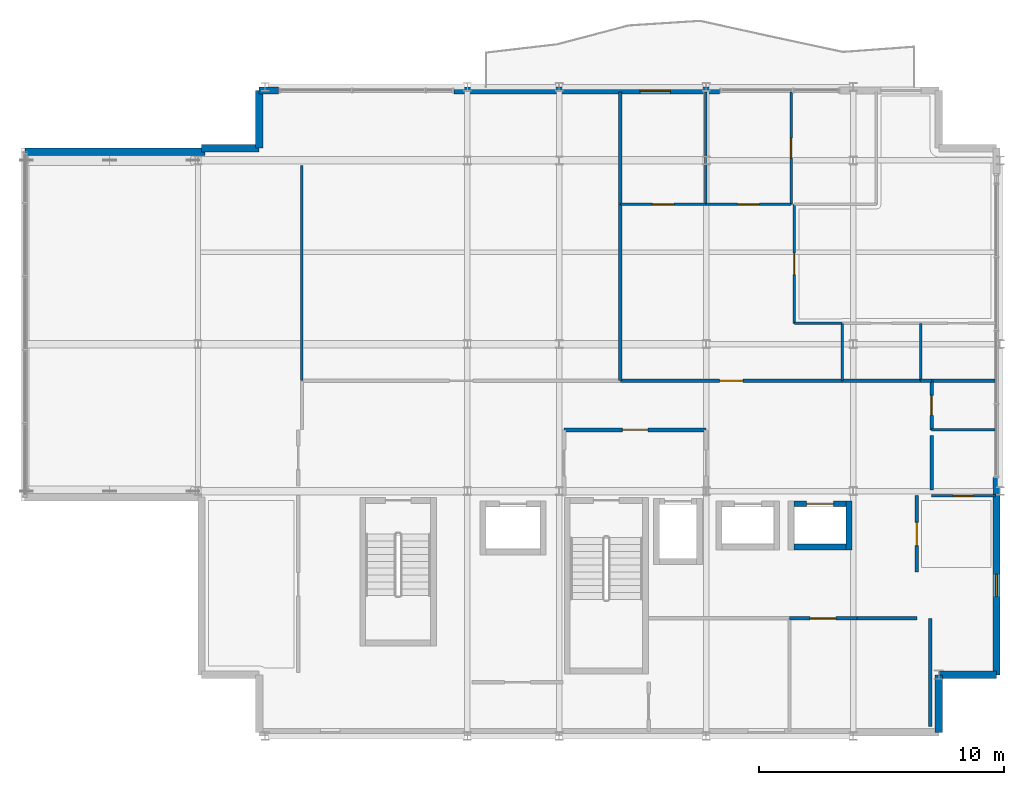
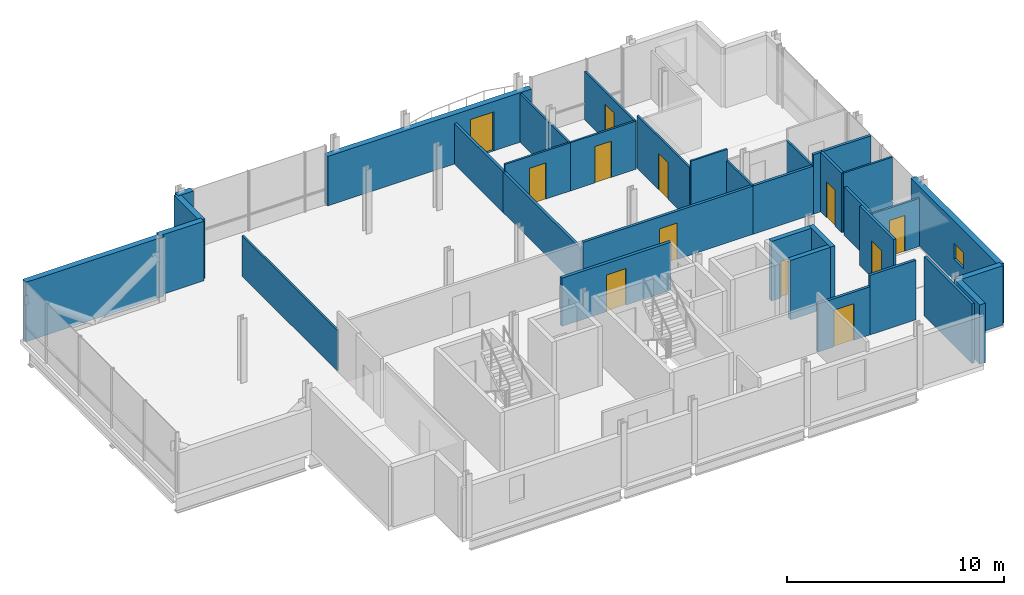
# One storey, part 15 of 18: 35 walls, 12 doors, 1 window, 13 openings.
"""IFC4 building model written with IfcOpenShell, lengths in metres."""

from ifc_helpers import new_model, si_unit, direction, frame, frame_2d, origin, place, context, subcontext, project, spatial, rectangle, extrude, material, layer, layer_set, type_object, element, fill, save


model = new_model("IFC4")

# Units and contexts
model_context = context("Model", 3, precision=1e-05, world=origin(), true_north=direction((0.0, 1.0)))
body_context = subcontext(model_context, "Body", "Model", "MODEL_VIEW")
ifc_project = project(units=[si_unit("LENGTHUNIT", "METRE"), si_unit("AREAUNIT", "SQUARE_METRE"), si_unit("VOLUMEUNIT", "CUBIC_METRE"), si_unit("PLANEANGLEUNIT", "RADIAN"), si_unit("MASSUNIT", "GRAM", prefix="KILO")], contexts=[model_context])

# Site, building, storey
site_placement = place(None, origin())
site = spatial("IfcSite", under=ifc_project, at=site_placement, CompositionType="ELEMENT")
building_placement = place(site_placement, origin())
building = spatial("IfcBuilding", under=site, at=building_placement, Name="Brevholm Reach", CompositionType="ELEMENT")
storey_placement = place(building_placement, frame((0.0, 0.0, 240.050048828125)))
storey = spatial("IfcBuildingStorey", under=building, at=storey_placement, Name="L73", CompositionType="ELEMENT", Elevation=240.050048828125)

# Walls
ifc_material_1 = material(Name="Concrete C45/55", Category="concrete")
ifc_layer_1 = layer(ifc_material_1, 0.239990234375)
ifc_layer_set_1 = layer_set([ifc_layer_1], Name="Concrete C45/55")
wall_type_1 = type_object("IfcWallType", Name="WAL-COR-240", PredefinedType="SHEAR", material=ifc_layer_set_1)
wall_1_placement = place(storey_placement, frame((53.830078125, 7.60009765625, 0.0), z_axis=(0.0, 0.0, 1.0), x_axis=(0.0, 1.0, 0.0)))
element("IfcWall", 1, at=wall_1_placement, inside=storey, type_object=wall_type_1, Name="L73 Lift PL-H2 Shaft Wall E", PredefinedType="SHEAR", context=body_context, shape_type="SweptSolid", body=[
    extrude(rectangle(XDim=2.0, YDim=0.239990234375, at=frame_2d((1.0, 0.0))), origin(), (0.0, 0.0, 1.0), 3.349853515625),
])
wall_2_placement = place(storey_placement, frame((51.590087890625, 7.719970703125, 0.0), z_axis=(0.0, 0.0, 1.0), x_axis=(1.0, 0.0, 0.0)))
element("IfcWall", 2, at=wall_2_placement, inside=storey, type_object=wall_type_1, Name="L73 Lift PL-H2 Shaft Wall S", PredefinedType="SHEAR", context=body_context, shape_type="SweptSolid", body=[
    extrude(rectangle(XDim=2.119873046875, YDim=0.239990234375, at=frame_2d((1.06005859375, 0.0))), origin(), (0.0, 0.0, 1.0), 3.349853515625),
])

# Wall, opening, door
wall_3_placement = place(storey_placement, frame((51.590087890625, 9.47998046875, 0.0), z_axis=(0.0, 0.0, 1.0), x_axis=(1.0, 0.0, 0.0)))
wall_3 = element("IfcWall", 3, at=wall_3_placement, inside=storey, type_object=wall_type_1, Name="L73 Lift PL-H2 Shaft Wall N", PredefinedType="SHEAR", context=body_context, shape_type="SweptSolid", body=[
    extrude(rectangle(XDim=2.119873046875, YDim=0.239990234375, at=frame_2d((1.06005859375, 0.0))), origin(), (0.0, 0.0, 1.0), 3.349853515625),
])
opening_1_placement = place(wall_3_placement, frame((0.510009765625, 0.0, 0.0)))
opening_1 = element("IfcOpeningElement", 4, at=opening_1_placement, cuts=wall_3, Name="Opening LD-PL-H2", PredefinedType="OPENING", context=body_context, shape_type="SweptSolid", body=[
    extrude(rectangle(XDim=1.10009765625, YDim=2.06005859375, at=frame_2d((0.550048828125, 1.030029296875))), frame((0.0, 0.1298828125, 0.0), z_axis=(0.0, -1.0, 0.0), x_axis=(1.0, 0.0, 0.0)), (0.0, 0.0, 1.0), 0.260009765625),
])
ifc_material_2 = material(Name="Brushed Stainless Steel Fire-Rated Sliding Lift Door", Category="steel")
door_type_1 = type_object("IfcDoorType", Name="DOR-LFT-1100", OperationType="NOTDEFINED", PredefinedType="DOOR", material=ifc_material_2)
door_1_placement = place(opening_1_placement, origin())
door_1 = element("IfcDoor", 5, at=door_1_placement, inside=storey, type_object=door_type_1, Name="L73 Lift PL-H2 Sliding Landing Door", OperationType="SLIDING_TO_LEFT", OverallHeight=2.06005859375, OverallWidth=1.10009765625, PredefinedType="DOOR", context=body_context, shape_type="SweptSolid", body=[
    extrude(rectangle(XDim=1.10009765625, YDim=2.06005859375, at=frame_2d((0.550048828125, 1.030029296875))), frame((0.0, 0.02490234375, 0.0), z_axis=(0.0, -1.0, 0.0), x_axis=(1.0, 0.0, 0.0)), (0.0, 0.0, 1.0), 0.050048828125),
])
fill(opening_1, door_1)

# Walls
ifc_material_3 = material(Name="Concrete C40/50", Category="concrete")
ifc_layer_2 = layer(ifc_material_3, 0.300048828125)
ifc_layer_set_2 = layer_set([ifc_layer_2], Name="Concrete C40/50")
wall_type_2 = type_object("IfcWallType", Name="WAL-EXT-300", PredefinedType="STANDARD", material=ifc_layer_set_2)
for number, where, z_axis, x_axis, name in (
    (6, (57.5, 0.14990234375, 0.0), (0.0, 0.0, 1.0), (0.0, 1.0, 0.0), "L73 Facade Wall WAL-L73-CSE1"),
    (7, (57.5, 2.5, 0.0), (0.0, 0.0, 1.0), (1.0, 0.0, 0.0), "L73 Facade Wall WAL-L73-CSE2"),
    (8, (29.75, 26.35009765625, 0.0), (0.0, 0.0, 1.0), (0.0, -1.0, 0.0), "L73 Facade Wall WAL-L73-CNW1"),
    (9, (29.75, 24.0, 0.0), (0.0, 0.0, 1.0), (-1.0, 0.0, 0.0), "L73 Facade Wall WAL-L73-CNW2"),
):
    element("IfcWall", number, at=place(storey_placement, frame(where, z_axis=z_axis, x_axis=x_axis)), inside=storey, type_object=wall_type_2, Name=name, PredefinedType="STANDARD", context=body_context, shape_type="SweptSolid", body=[
        extrude(rectangle(XDim=2.35009765625, YDim=0.300048828125, at=frame_2d((1.175048828125, 0.0))), origin(), (0.0, 0.0, 1.0), 3.349853515625),
    ])

# Wall, opening, window
wall_4_placement = place(storey_placement, frame((59.85009765625, 2.5, 0.0), z_axis=(0.0, 0.0, 1.0), x_axis=(0.0, 1.0, 0.0)))
wall_4 = element("IfcWall", 10, at=wall_4_placement, inside=storey, type_object=wall_type_2, Name="L73 Facade Wall WAL-L73-E-S", PredefinedType="STANDARD", context=body_context, shape_type="SweptSolid", body=[
    extrude(rectangle(XDim=8.050048828125, YDim=0.300048828125, at=frame_2d((4.02490234375, 0.0))), origin(), (0.0, 0.0, 1.0), 3.349853515625),
])
opening_2_placement = place(wall_4_placement, frame((3.199951171875, 0.0, 1.199951171875)))
opening_2 = element("IfcOpeningElement", 11, at=opening_2_placement, cuts=wall_4, Name="Opening WN-09", PredefinedType="OPENING", context=body_context, shape_type="SweptSolid", body=[
    extrude(rectangle(XDim=0.89990234375, YDim=0.89990234375, at=frame_2d((0.449951171875, 0.449951171875))), frame((0.0, 0.159912109375, 0.0), z_axis=(0.0, -1.0, 0.0), x_axis=(1.0, 0.0, 0.0)), (0.0, 0.0, 1.0), 0.320068359375),
])
ifc_material_4 = material(Name="Dark Anodised Aluminium and Solar-Control IGU Glass", Category="aluminium")
window_type = type_object("IfcWindowType", Name="WIN-POR-0900", PartitioningType="SINGLE_PANEL", PredefinedType="WINDOW", material=ifc_material_4)
window_placement = place(opening_2_placement, origin())
window = element("IfcWindow", 12, at=window_placement, inside=storey, type_object=window_type, Name="L73 Window WIN-L73-ES-1", OverallHeight=0.89990234375, OverallWidth=0.89990234375, PartitioningType="SINGLE_PANEL", PredefinedType="WINDOW", context=body_context, shape_type="SweptSolid", body=[
    extrude(rectangle(XDim=0.89990234375, YDim=0.89990234375, at=frame_2d((0.449951171875, 0.449951171875))), frame((0.0, 0.030029296875, 0.0), z_axis=(0.0, -1.0, 0.0), x_axis=(1.0, 0.0, 0.0)), (0.0, 0.0, 1.0), 0.06005859375),
])
fill(opening_2, window)

# Wall
wall_5_placement = place(storey_placement, frame((29.75, 26.35009765625, 0.0), z_axis=(0.0, 0.0, 1.0), x_axis=(1.0, 0.0, 0.0)))
element("IfcWall", 13, at=wall_5_placement, inside=storey, type_object=wall_type_2, Name="L73 Facade Wall WAL-L73-NP-1", PredefinedType="STANDARD", context=body_context, shape_type="SweptSolid", body=[
    extrude(rectangle(XDim=0.800048828125, YDim=0.300048828125, at=frame_2d((0.39990234375, 0.0))), origin(), (0.0, 0.0, 1.0), 3.349853515625),
])

# Wall, opening, door
wall_6_placement = place(storey_placement, frame((37.699951171875, 26.35009765625, 0.0), z_axis=(0.0, 0.0, 1.0), x_axis=(1.0, 0.0, 0.0)))
wall_6 = element("IfcWall", 14, at=wall_6_placement, inside=storey, type_object=wall_type_2, Name="L73 Facade Wall WAL-L73-NP-2", PredefinedType="STANDARD", context=body_context, shape_type="SweptSolid", body=[
    extrude(rectangle(XDim=10.85009765625, YDim=0.300048828125, at=frame_2d((5.425048828125, 0.0))), origin(), (0.0, 0.0, 1.0), 2.785400390625),
])
opening_3_placement = place(wall_6_placement, frame((7.589111328125, 0.0, 0.0)))
opening_3 = element("IfcOpeningElement", 15, at=opening_3_placement, cuts=wall_6, Name="Opening BD-02", PredefinedType="OPENING", context=body_context, shape_type="SweptSolid", body=[
    extrude(rectangle(XDim=1.25, YDim=2.199951171875, at=frame_2d((0.625, 1.10009765625))), frame((0.0, 0.159912109375, 0.0), z_axis=(0.0, -1.0, 0.0), x_axis=(1.0, 0.0, 0.0)), (0.0, 0.0, 1.0), 0.320068359375),
])
ifc_material_5 = material(Name="Dark Anodised Aluminium and Triple-Glazed Glass", Category="aluminium")
door_type_2 = type_object("IfcDoorType", Name="DOR-BALC-1250", OperationType="NOTDEFINED", PredefinedType="DOOR", material=ifc_material_5)
door_2_placement = place(opening_3_placement, origin())
door_2 = element("IfcDoor", 16, at=door_2_placement, inside=storey, type_object=door_type_2, Name="L73 Exterior Door DOR-L73-BL-NE", OperationType="SINGLE_SWING_RIGHT", OverallHeight=2.199951171875, OverallWidth=1.25, PredefinedType="DOOR", context=body_context, shape_type="SweptSolid", body=[
    extrude(rectangle(XDim=1.25, YDim=2.199951171875, at=frame_2d((0.625, 1.10009765625))), frame((0.0, 0.02490234375, 0.0), z_axis=(0.0, -1.0, 0.0), x_axis=(1.0, 0.0, 0.0)), (0.0, 0.0, 1.0), 0.050048828125),
])
fill(opening_3, door_2)

# Wall
wall_7_placement = place(storey_placement, frame((20.199951171875, 23.85009765625, 0.0), z_axis=(0.0, 0.0, 1.0), x_axis=(1.0, 0.0, 0.0)))
element("IfcWall", 17, at=wall_7_placement, inside=storey, type_object=wall_type_2, Name="L73 Facade Wall WAL-L73-CANT-N", PredefinedType="STANDARD", context=body_context, shape_type="SweptSolid", body=[
    extrude(rectangle(XDim=7.35009765625, YDim=0.300048828125, at=frame_2d((3.675048828125, 0.0))), origin(), (0.0, 0.0, 1.0), 3.349853515625),
])

# Wall, opening, door
ifc_material_6 = material(Name="Moisture-Resistant Acoustic Gypsum Stud Partition 100 mm", Category="gypsum")
ifc_layer_3 = layer(ifc_material_6, 0.10009765625)
ifc_layer_set_3 = layer_set([ifc_layer_3], Name="Moisture-Resistant Acoustic Gypsum Stud Partition 100 mm")
wall_type_3 = type_object("IfcWallType", Name="WAL-PRT-100", PredefinedType="PARTITIONING", material=ifc_layer_set_3)
wall_8_placement = place(storey_placement, frame((57.188720703125, 9.800048828125, 0.0), z_axis=(0.0, 0.0, 1.0), x_axis=(1.0, 0.0, 0.0)))
wall_8 = element("IfcWall", 18, at=wall_8_placement, inside=storey, type_object=wall_type_3, Name="L73 Internal Partition 013", PredefinedType="PARTITIONING", context=body_context, shape_type="SweptSolid", body=[
    extrude(rectangle(XDim=2.611328125, YDim=0.10009765625, at=frame_2d((1.3056640625, 0.0))), origin(), (0.0, 0.0, 1.0), 2.712646484375),
])
opening_4_placement = place(wall_8_placement, frame((0.895751953125, 0.0, 0.0)))
opening_4 = element("IfcOpeningElement", 19, at=opening_4_placement, cuts=wall_8, Name="Opening ID-03", PredefinedType="OPENING", context=body_context, shape_type="SweptSolid", body=[
    extrude(rectangle(XDim=0.820068359375, YDim=2.02001953125, at=frame_2d((0.41015625, 1.010009765625))), frame((0.0, 0.06005859375, 0.0), z_axis=(0.0, -1.0, 0.0), x_axis=(1.0, 0.0, 0.0)), (0.0, 0.0, 1.0), 0.1201171875),
])
ifc_material_7 = material(Name="Moisture-Resistant Painted Timber Internal Bathroom Door", Category="wood")
door_type_3 = type_object("IfcDoorType", Name="DOR-BATH-820", OperationType="NOTDEFINED", PredefinedType="DOOR", material=ifc_material_7)
door_3_placement = place(opening_4_placement, origin())
door_3 = element("IfcDoor", 20, at=door_3_placement, inside=storey, type_object=door_type_3, Name="L73 Access Door 016", OperationType="SINGLE_SWING_RIGHT", OverallHeight=2.02001953125, OverallWidth=0.820068359375, PredefinedType="DOOR", context=body_context, shape_type="SweptSolid", body=[
    extrude(rectangle(XDim=0.820068359375, YDim=2.02001953125, at=frame_2d((0.41015625, 1.010009765625))), frame((0.0, 0.02490234375, 0.0), z_axis=(0.0, -1.0, 0.0), x_axis=(1.0, 0.0, 0.0)), (0.0, 0.0, 1.0), 0.050048828125),
])
fill(opening_4, door_3)

# Walls
wall_9_placement = place(storey_placement, frame((57.2041015625, 12.5, 0.0), z_axis=(0.0, 0.0, 1.0), x_axis=(1.0, 0.0, 0.0)))
element("IfcWall", 21, at=wall_9_placement, inside=storey, type_object=wall_type_3, Name="L73 Internal Partition 020", PredefinedType="PARTITIONING", context=body_context, shape_type="SweptSolid", body=[
    extrude(rectangle(XDim=2.595947265625, YDim=0.10009765625, at=frame_2d((1.2978515625, 0.0))), origin(), (0.0, 0.0, 1.0), 3.349853515625),
])
wall_10_placement = place(storey_placement, frame((31.5, 14.50390625, 0.0), z_axis=(0.0, 0.0, 1.0), x_axis=(0.0, 1.0, 0.0)))
element("IfcWall", 22, at=wall_10_placement, inside=storey, type_object=wall_type_3, Name="L73 Internal Partition 022", PredefinedType="PARTITIONING", context=body_context, shape_type="SweptSolid", body=[
    extrude(rectangle(XDim=8.776123046875, YDim=0.10009765625, at=frame_2d((4.38818359375, 0.0))), origin(), (0.0, 0.0, 1.0), 2.28857421875),
])
for number, where, z_axis, x_axis, name in (
    (23, (56.75, 14.50390625, 0.0), (0.0, 0.0, 1.0), (0.0, 1.0, 0.0), "L73 Internal Partition 025"),
    (24, (53.550048828125, 14.50390625, 0.0), (0.0, 0.0, 1.0), (0.0, 1.0, 0.0), "L73 Internal Partition 028"),
):
    element("IfcWall", number, at=place(storey_placement, frame(where, z_axis=z_axis, x_axis=x_axis)), inside=storey, type_object=wall_type_3, Name=name, PredefinedType="PARTITIONING", context=body_context, shape_type="SweptSolid", body=[
        extrude(rectangle(XDim=2.34619140625, YDim=0.10009765625, at=frame_2d((1.173095703125, 0.0))), origin(), (0.0, 0.0, 1.0), 2.712646484375),
    ])
wall_11_placement = place(storey_placement, frame((47.98291015625, 21.699951171875, 0.0), z_axis=(0.0, 0.0, 1.0), x_axis=(0.0, 1.0, 0.0)))
element("IfcWall", 25, at=wall_11_placement, inside=storey, type_object=wall_type_3, Name="L73 Internal Partition 029", PredefinedType="PARTITIONING", context=body_context, shape_type="SweptSolid", body=[
    extrude(rectangle(XDim=4.60009765625, YDim=0.10009765625, at=frame_2d((2.300048828125, 0.0))), origin(), (0.0, 0.0, 1.0), 2.712646484375),
])

# Wall, opening, door
wall_12_placement = place(storey_placement, frame((44.50390625, 21.699951171875, 0.0), z_axis=(0.0, 0.0, 1.0), x_axis=(1.0, 0.0, 0.0)))
wall_12 = element("IfcWall", 26, at=wall_12_placement, inside=storey, type_object=wall_type_3, Name="L73 Internal Partition 030", PredefinedType="PARTITIONING", context=body_context, shape_type="SweptSolid", body=[
    extrude(rectangle(XDim=3.47900390625, YDim=0.10009765625, at=frame_2d((1.739501953125, 0.0))), origin(), (0.0, 0.0, 1.0), 2.712646484375),
])
opening_5_placement = place(wall_12_placement, frame((1.299560546875, 0.0, 0.0)))
opening_5 = element("IfcOpeningElement", 27, at=opening_5_placement, cuts=wall_12, Name="Opening ID-01", PredefinedType="OPENING", context=body_context, shape_type="SweptSolid", body=[
    extrude(rectangle(XDim=0.8798828125, YDim=2.0400390625, at=frame_2d((0.43994140625, 1.02001953125))), frame((0.0, 0.06005859375, 0.0), z_axis=(0.0, -1.0, 0.0), x_axis=(1.0, 0.0, 0.0)), (0.0, 0.0, 1.0), 0.1201171875),
])
ifc_material_8 = material(Name="Lacquered Ash Solid-Core Acoustic Internal Door", Category="timber")
door_type_4 = type_object("IfcDoorType", Name="DOR-INT-880", OperationType="NOTDEFINED", PredefinedType="DOOR", material=ifc_material_8)
door_4_placement = place(opening_5_placement, origin())
door_4 = element("IfcDoor", 28, at=door_4_placement, inside=storey, type_object=door_type_4, Name="L73 Internal Door 013", OperationType="SINGLE_SWING_LEFT", OverallHeight=2.0400390625, OverallWidth=0.8798828125, PredefinedType="DOOR", context=body_context, shape_type="SweptSolid", body=[
    extrude(rectangle(XDim=0.8798828125, YDim=2.0400390625, at=frame_2d((0.43994140625, 1.02001953125))), frame((0.0, 0.02490234375, 0.0), z_axis=(0.0, -1.0, 0.0), x_axis=(1.0, 0.0, 0.0)), (0.0, 0.0, 1.0), 0.050048828125),
])
fill(opening_5, door_4)

wall_13_placement = place(storey_placement, frame((51.466064453125, 21.699951171875, 0.0), z_axis=(0.0, 0.0, 1.0), x_axis=(0.0, 1.0, 0.0)))
wall_13 = element("IfcWall", 29, at=wall_13_placement, inside=storey, type_object=wall_type_3, Name="L73 Internal Partition 031", PredefinedType="PARTITIONING", context=body_context, shape_type="SweptSolid", body=[
    extrude(rectangle(XDim=4.60009765625, YDim=0.10009765625, at=frame_2d((2.300048828125, 0.0))), origin(), (0.0, 0.0, 1.0), 2.712646484375),
])
opening_6_placement = place(wall_13_placement, frame((1.889892578125, 0.0, 0.0)))
opening_6 = element("IfcOpeningElement", 30, at=opening_6_placement, cuts=wall_13, Name="Opening ID-03", PredefinedType="OPENING", context=body_context, shape_type="SweptSolid", body=[
    extrude(rectangle(XDim=0.820068359375, YDim=2.02001953125, at=frame_2d((0.41015625, 1.010009765625))), frame((0.0, 0.06005859375, 0.0), z_axis=(0.0, -1.0, 0.0), x_axis=(1.0, 0.0, 0.0)), (0.0, 0.0, 1.0), 0.1201171875),
])
door_5_placement = place(opening_6_placement, origin())
door_5 = element("IfcDoor", 31, at=door_5_placement, inside=storey, type_object=door_type_3, Name="L73 Access Door 019", OperationType="SINGLE_SWING_LEFT", OverallHeight=2.02001953125, OverallWidth=0.820068359375, PredefinedType="DOOR", context=body_context, shape_type="SweptSolid", body=[
    extrude(rectangle(XDim=0.820068359375, YDim=2.02001953125, at=frame_2d((0.41015625, 1.010009765625))), frame((0.0, 0.02490234375, 0.0), z_axis=(0.0, -1.0, 0.0), x_axis=(1.0, 0.0, 0.0)), (0.0, 0.0, 1.0), 0.050048828125),
])
fill(opening_6, door_5)

wall_14_placement = place(storey_placement, frame((47.987060546875, 21.699951171875, 0.0), z_axis=(0.0, 0.0, 1.0), x_axis=(1.0, 0.0, 0.0)))
wall_14 = element("IfcWall", 32, at=wall_14_placement, inside=storey, type_object=wall_type_3, Name="L73 Internal Partition 032", PredefinedType="PARTITIONING", context=body_context, shape_type="SweptSolid", body=[
    extrude(rectangle(XDim=3.47900390625, YDim=0.10009765625, at=frame_2d((1.739501953125, 0.0))), origin(), (0.0, 0.0, 1.0), 2.712646484375),
])
opening_7_placement = place(wall_14_placement, frame((1.299560546875, 0.0, 0.0)))
opening_7 = element("IfcOpeningElement", 33, at=opening_7_placement, cuts=wall_14, Name="Opening ID-01", PredefinedType="OPENING", context=body_context, shape_type="SweptSolid", body=[
    extrude(rectangle(XDim=0.8798828125, YDim=2.0400390625, at=frame_2d((0.43994140625, 1.02001953125))), frame((0.0, 0.06005859375, 0.0), z_axis=(0.0, -1.0, 0.0), x_axis=(1.0, 0.0, 0.0)), (0.0, 0.0, 1.0), 0.1201171875),
])
door_6_placement = place(opening_7_placement, origin())
door_6 = element("IfcDoor", 34, at=door_6_placement, inside=storey, type_object=door_type_4, Name="L73 Internal Door 014", OperationType="SINGLE_SWING_RIGHT", OverallHeight=2.0400390625, OverallWidth=0.8798828125, PredefinedType="DOOR", context=body_context, shape_type="SweptSolid", body=[
    extrude(rectangle(XDim=0.8798828125, YDim=2.0400390625, at=frame_2d((0.43994140625, 1.02001953125))), frame((0.0, 0.02490234375, 0.0), z_axis=(0.0, -1.0, 0.0), x_axis=(1.0, 0.0, 0.0)), (0.0, 0.0, 1.0), 0.050048828125),
])
fill(opening_7, door_6)

wall_15_placement = place(storey_placement, frame((51.60009765625, 16.85009765625, 0.0), z_axis=(0.0, 0.0, 1.0), x_axis=(0.0, 1.0, 0.0)))
wall_15 = element("IfcWall", 35, at=wall_15_placement, inside=storey, type_object=wall_type_3, Name="L73 Internal Partition 035", PredefinedType="PARTITIONING", context=body_context, shape_type="SweptSolid", body=[
    extrude(rectangle(XDim=4.845947265625, YDim=0.10009765625, at=frame_2d((2.4228515625, 0.0))), origin(), (0.0, 0.0, 1.0), 2.969970703125),
])
opening_8_placement = place(wall_15_placement, frame((1.98291015625, 0.0, 0.0)))
opening_8 = element("IfcOpeningElement", 36, at=opening_8_placement, cuts=wall_15, Name="Opening ID-01", PredefinedType="OPENING", context=body_context, shape_type="SweptSolid", body=[
    extrude(rectangle(XDim=0.8798828125, YDim=2.0400390625, at=frame_2d((0.43994140625, 1.02001953125))), frame((0.0, 0.06005859375, 0.0), z_axis=(0.0, -1.0, 0.0), x_axis=(1.0, 0.0, 0.0)), (0.0, 0.0, 1.0), 0.1201171875),
])
door_7_placement = place(opening_8_placement, origin())
door_7 = element("IfcDoor", 37, at=door_7_placement, inside=storey, type_object=door_type_4, Name="L73 Internal Door 015", OperationType="SINGLE_SWING_LEFT", OverallHeight=2.0400390625, OverallWidth=0.8798828125, PredefinedType="DOOR", context=body_context, shape_type="SweptSolid", body=[
    extrude(rectangle(XDim=0.8798828125, YDim=2.0400390625, at=frame_2d((0.43994140625, 1.02001953125))), frame((0.0, 0.02490234375, 0.0), z_axis=(0.0, -1.0, 0.0), x_axis=(1.0, 0.0, 0.0)), (0.0, 0.0, 1.0), 0.050048828125),
])
fill(opening_8, door_7)

# Wall
wall_16_placement = place(storey_placement, frame((51.60009765625, 16.85009765625, 0.0), z_axis=(0.0, 0.0, 1.0), x_axis=(1.0, 0.0, 0.0)))
element("IfcWall", 38, at=wall_16_placement, inside=storey, type_object=wall_type_3, Name="L73 Internal Partition 036", PredefinedType="PARTITIONING", context=body_context, shape_type="SweptSolid", body=[
    extrude(rectangle(XDim=1.94580078125, YDim=0.10009765625, at=frame_2d((0.972900390625, 0.0))), origin(), (0.0, 0.0, 1.0), 3.349853515625),
])

# Wall, opening, door
ifc_material_9 = material(Name="Twin-Stud Acoustic Fire-Rated Gypsum Partition 140 mm", Category="gypsum")
ifc_layer_4 = layer(ifc_material_9, 0.139892578125)
ifc_layer_set_4 = layer_set([ifc_layer_4], Name="Twin-Stud Acoustic Fire-Rated Gypsum Partition 140 mm")
wall_type_4 = type_object("IfcWallType", Name="WAL-PRT-140", PredefinedType="PARTITIONING", material=ifc_layer_set_4)
wall_17_placement = place(storey_placement, frame((51.392578125, 4.800048828125, 0.0), z_axis=(0.0, 0.0, 1.0), x_axis=(1.0, 0.0, 0.0)))
wall_17 = element("IfcWall", 39, at=wall_17_placement, inside=storey, type_object=wall_type_4, Name="L73 Internal Partition 006", PredefinedType="PARTITIONING", context=body_context, shape_type="SweptSolid", body=[
    extrude(rectangle(XDim=2.75732421875, YDim=0.139892578125, at=frame_2d((1.378662109375, 0.0))), origin(), (0.0, 0.0, 1.0), 2.712646484375),
])
opening_9_placement = place(wall_17_placement, frame((0.853759765625, 0.0, 0.0)))
opening_9 = element("IfcOpeningElement", 40, at=opening_9_placement, cuts=wall_17, Name="Opening FD-01", PredefinedType="OPENING", context=body_context, shape_type="SweptSolid", body=[
    extrude(rectangle(XDim=1.050048828125, YDim=2.06005859375, at=frame_2d((0.52490234375, 1.030029296875))), frame((0.0, 0.079833984375, 0.0), z_axis=(0.0, -1.0, 0.0), x_axis=(1.0, 0.0, 0.0)), (0.0, 0.0, 1.0), 0.159912109375),
])
ifc_material_10 = material(Name="Hardwood-Lipped Steel-Core Fire and Smoke Door", Category="steel")
door_type_5 = type_object("IfcDoorType", Name="DOR-INT-FD60S", OperationType="NOTDEFINED", PredefinedType="DOOR", material=ifc_material_10)
door_8_placement = place(opening_9_placement, origin())
door_8 = element("IfcDoor", 41, at=door_8_placement, inside=storey, type_object=door_type_5, Name="L73 Internal Door 005", OperationType="SINGLE_SWING_LEFT", OverallHeight=2.06005859375, OverallWidth=1.050048828125, PredefinedType="DOOR", context=body_context, shape_type="SweptSolid", body=[
    extrude(rectangle(XDim=1.050048828125, YDim=2.06005859375, at=frame_2d((0.52490234375, 1.030029296875))), frame((0.0, 0.02490234375, 0.0), z_axis=(0.0, -1.0, 0.0), x_axis=(1.0, 0.0, 0.0)), (0.0, 0.0, 1.0), 0.050048828125),
])
fill(opening_9, door_8)

# Wall
wall_18_placement = place(storey_placement, frame((54.154052734375, 4.800048828125, 0.0), z_axis=(0.0, 0.0, 1.0), x_axis=(1.0, 0.0, 0.0)))
element("IfcWall", 42, at=wall_18_placement, inside=storey, type_object=wall_type_4, Name="L73 Internal Partition 007", PredefinedType="PARTITIONING", context=body_context, shape_type="SweptSolid", body=[
    extrude(rectangle(XDim=2.446044921875, YDim=0.139892578125, at=frame_2d((1.22314453125, 0.0))), origin(), (0.0, 0.0, 1.0), 3.349853515625),
])

# Wall, opening, door
wall_19_placement = place(storey_placement, frame((56.60009765625, 6.688720703125, 0.0), z_axis=(0.0, 0.0, 1.0), x_axis=(0.0, 1.0, 0.0)))
wall_19 = element("IfcWall", 43, at=wall_19_placement, inside=storey, type_object=wall_type_4, Name="L73 Internal Partition 008", PredefinedType="PARTITIONING", context=body_context, shape_type="SweptSolid", body=[
    extrude(rectangle(XDim=3.12255859375, YDim=0.139892578125, at=frame_2d((1.561279296875, 0.0))), origin(), (0.0, 0.0, 1.0), 3.349853515625),
])
opening_10_placement = place(wall_19_placement, frame((1.086181640625, 0.0, 0.0)))
opening_10 = element("IfcOpeningElement", 44, at=opening_10_placement, cuts=wall_19, Name="Opening ID-30", PredefinedType="OPENING", context=body_context, shape_type="SweptSolid", body=[
    extrude(rectangle(XDim=0.949951171875, YDim=2.050048828125, at=frame_2d((0.47509765625, 1.02490234375))), frame((0.0, 0.079833984375, 0.0), z_axis=(0.0, -1.0, 0.0), x_axis=(1.0, 0.0, 0.0)), (0.0, 0.0, 1.0), 0.159912109375),
])
ifc_material_11 = material(Name="European Oak Veneered Solid-Core Fire Entrance Door", Category="timber")
door_type_6 = type_object("IfcDoorType", Name="DOR-FLT-FD30S", OperationType="NOTDEFINED", PredefinedType="DOOR", material=ifc_material_11)
door_9_placement = place(opening_10_placement, origin())
door_9 = element("IfcDoor", 45, at=door_9_placement, inside=storey, type_object=door_type_6, Name="L73 Internal Door 006", OperationType="SINGLE_SWING_RIGHT", OverallHeight=2.050048828125, OverallWidth=0.949951171875, PredefinedType="DOOR", context=body_context, shape_type="SweptSolid", body=[
    extrude(rectangle(XDim=0.949951171875, YDim=2.050048828125, at=frame_2d((0.47509765625, 1.02490234375))), frame((0.0, 0.02490234375, 0.0), z_axis=(0.0, -1.0, 0.0), x_axis=(1.0, 0.0, 0.0)), (0.0, 0.0, 1.0), 0.050048828125),
])
fill(opening_10, door_9)

wall_20_placement = place(storey_placement, frame((57.199951171875, 12.5, 0.0), z_axis=(0.0, 0.0, 1.0), x_axis=(0.0, 1.0, 0.0)))
wall_20 = element("IfcWall", 46, at=wall_20_placement, inside=storey, type_object=wall_type_4, Name="L73 Internal Partition 014", PredefinedType="PARTITIONING", context=body_context, shape_type="SweptSolid", body=[
    extrude(rectangle(XDim=2.0, YDim=0.139892578125, at=frame_2d((1.0, 0.0))), origin(), (0.0, 0.0, 1.0), 3.349853515625),
])
opening_11_placement = place(wall_20_placement, frame((0.590087890625, 0.0, 0.0)))
opening_11 = element("IfcOpeningElement", 47, at=opening_11_placement, cuts=wall_20, Name="Opening ID-02", PredefinedType="OPENING", context=body_context, shape_type="SweptSolid", body=[
    extrude(rectangle(XDim=0.820068359375, YDim=2.02001953125, at=frame_2d((0.41015625, 1.010009765625))), frame((0.0, 0.079833984375, 0.0), z_axis=(0.0, -1.0, 0.0), x_axis=(1.0, 0.0, 0.0)), (0.0, 0.0, 1.0), 0.159912109375),
])
ifc_material_12 = material(Name="Moisture-Resistant Painted Timber Fire-Rated Riser and Service Door", Category="wood")
door_type_7 = type_object("IfcDoorType", Name="DOR-SRV-820", OperationType="NOTDEFINED", PredefinedType="DOOR", material=ifc_material_12)
door_10_placement = place(opening_11_placement, origin())
door_10 = element("IfcDoor", 48, at=door_10_placement, inside=storey, type_object=door_type_7, Name="L73 Internal Door 010", OperationType="SINGLE_SWING_RIGHT", OverallHeight=2.02001953125, OverallWidth=0.820068359375, PredefinedType="DOOR", context=body_context, shape_type="SweptSolid", body=[
    extrude(rectangle(XDim=0.820068359375, YDim=2.02001953125, at=frame_2d((0.41015625, 1.010009765625))), frame((0.0, 0.02490234375, 0.0), z_axis=(0.0, -1.0, 0.0), x_axis=(1.0, 0.0, 0.0)), (0.0, 0.0, 1.0), 0.050048828125),
])
fill(opening_11, door_10)

# Walls
wall_21_placement = place(storey_placement, frame((56.73876953125, 14.5, 0.0), z_axis=(0.0, 0.0, 1.0), x_axis=(1.0, 0.0, 0.0)))
element("IfcWall", 49, at=wall_21_placement, inside=storey, type_object=wall_type_4, Name="L73 Internal Partition 017", PredefinedType="PARTITIONING", context=body_context, shape_type="SweptSolid", body=[
    extrude(rectangle(XDim=0.461181640625, YDim=0.139892578125, at=frame_2d((0.23046875, 0.0))), origin(), (0.0, 0.0, 1.0), 3.349853515625),
])
wall_22_placement = place(storey_placement, frame((53.538818359375, 14.5, 0.0), z_axis=(0.0, 0.0, 1.0), x_axis=(1.0, 0.0, 0.0)))
element("IfcWall", 50, at=wall_22_placement, inside=storey, type_object=wall_type_4, Name="L73 Internal Partition 018", PredefinedType="PARTITIONING", context=body_context, shape_type="SweptSolid", body=[
    extrude(rectangle(XDim=3.218505859375, YDim=0.139892578125, at=frame_2d((1.609375, 0.0))), origin(), (0.0, 0.0, 1.0), 2.712646484375),
])

# Wall, opening, door
wall_23_placement = place(storey_placement, frame((44.49267578125, 14.5, 0.0), z_axis=(0.0, 0.0, 1.0), x_axis=(1.0, 0.0, 0.0)))
wall_23 = element("IfcWall", 51, at=wall_23_placement, inside=storey, type_object=wall_type_4, Name="L73 Internal Partition 019", PredefinedType="PARTITIONING", context=body_context, shape_type="SweptSolid", body=[
    extrude(rectangle(XDim=9.064697265625, YDim=0.139892578125, at=frame_2d((4.5322265625, 0.0))), origin(), (0.0, 0.0, 1.0), 2.712646484375),
])
opening_12_placement = place(wall_23_placement, frame((4.057373046875, 0.0, 0.0)))
opening_12 = element("IfcOpeningElement", 52, at=opening_12_placement, cuts=wall_23, Name="Opening ID-30", PredefinedType="OPENING", context=body_context, shape_type="SweptSolid", body=[
    extrude(rectangle(XDim=0.949951171875, YDim=2.050048828125, at=frame_2d((0.47509765625, 1.02490234375))), frame((0.0, 0.079833984375, 0.0), z_axis=(0.0, -1.0, 0.0), x_axis=(1.0, 0.0, 0.0)), (0.0, 0.0, 1.0), 0.159912109375),
])
door_11_placement = place(opening_12_placement, origin())
door_11 = element("IfcDoor", 53, at=door_11_placement, inside=storey, type_object=door_type_6, Name="L73 Internal Door 012", OperationType="SINGLE_SWING_RIGHT", OverallHeight=2.050048828125, OverallWidth=0.949951171875, PredefinedType="DOOR", context=body_context, shape_type="SweptSolid", body=[
    extrude(rectangle(XDim=0.949951171875, YDim=2.050048828125, at=frame_2d((0.47509765625, 1.02490234375))), frame((0.0, 0.02490234375, 0.0), z_axis=(0.0, -1.0, 0.0), x_axis=(1.0, 0.0, 0.0)), (0.0, 0.0, 1.0), 0.050048828125),
])
fill(opening_12, door_11)

# Walls
wall_24_placement = place(storey_placement, frame((57.2041015625, 14.5, 0.0), z_axis=(0.0, 0.0, 1.0), x_axis=(1.0, 0.0, 0.0)))
element("IfcWall", 54, at=wall_24_placement, inside=storey, type_object=wall_type_4, Name="L73 Internal Partition 021", PredefinedType="PARTITIONING", context=body_context, shape_type="SweptSolid", body=[
    extrude(rectangle(XDim=2.595947265625, YDim=0.139892578125, at=frame_2d((1.2978515625, 0.0))), origin(), (0.0, 0.0, 1.0), 3.349853515625),
])
wall_25_placement = place(storey_placement, frame((44.5, 21.688720703125, 0.0), z_axis=(0.0, 0.0, 1.0), x_axis=(0.0, 1.0, 0.0)))
element("IfcWall", 55, at=wall_25_placement, inside=storey, type_object=wall_type_4, Name="L73 Internal Partition 023", PredefinedType="PARTITIONING", context=body_context, shape_type="SweptSolid", body=[
    extrude(rectangle(XDim=4.611328125, YDim=0.139892578125, at=frame_2d((2.3056640625, 0.0))), origin(), (0.0, 0.0, 1.0), 2.28857421875),
])
wall_26_placement = place(storey_placement, frame((44.5, 14.50390625, 0.0), z_axis=(0.0, 0.0, 1.0), x_axis=(0.0, 1.0, 0.0)))
element("IfcWall", 56, at=wall_26_placement, inside=storey, type_object=wall_type_4, Name="L73 Internal Partition 024", PredefinedType="PARTITIONING", context=body_context, shape_type="SweptSolid", body=[
    extrude(rectangle(XDim=7.203369140625, YDim=0.139892578125, at=frame_2d((3.6015625, 0.0))), origin(), (0.0, 0.0, 1.0), 2.28857421875),
])
wall_27_placement = place(storey_placement, frame((57.14990234375, 0.389892578125, 0.0), z_axis=(0.0, 0.0, 1.0), x_axis=(0.0, 1.0, 0.0)))
element("IfcWall", 57, at=wall_27_placement, inside=storey, type_object=wall_type_4, Name="L73 Internal Partition 037", PredefinedType="PARTITIONING", context=body_context, shape_type="SweptSolid", body=[
    extrude(rectangle(XDim=4.41015625, YDim=0.139892578125, at=frame_2d((2.205078125, 0.0))), origin(), (0.0, 0.0, 1.0), 3.349853515625),
])
wall_28_placement = place(storey_placement, frame((57.199951171875, 10.0400390625, 0.0), z_axis=(0.0, 0.0, 1.0), x_axis=(0.0, 1.0, 0.0)))
element("IfcWall", 58, at=wall_28_placement, inside=storey, type_object=wall_type_4, Name="L73 Internal Partition 038", PredefinedType="PARTITIONING", context=body_context, shape_type="SweptSolid", body=[
    extrude(rectangle(XDim=2.219970703125, YDim=0.139892578125, at=frame_2d((1.10986328125, 0.0))), origin(), (0.0, 0.0, 1.0), 2.712646484375),
])

# Wall, opening, door
ifc_material_13 = material(Name="Twin-Frame Fire-Rated Gypsum Board and Mineral Wool 160 mm", Category="gypsum")
ifc_layer_5 = layer(ifc_material_13, 0.159912109375)
ifc_layer_set_5 = layer_set([ifc_layer_5], Name="Twin-Frame Fire-Rated Gypsum Board and Mineral Wool 160 mm")
wall_type_5 = type_object("IfcWallType", Name="WAL-PRT-160", PredefinedType="PARTITIONING", material=ifc_layer_set_5)
wall_29_placement = place(storey_placement, frame((42.199951171875, 12.5, 0.0), z_axis=(0.0, 0.0, 1.0), x_axis=(1.0, 0.0, 0.0)))
wall_29 = element("IfcWall", 59, at=wall_29_placement, inside=storey, type_object=wall_type_5, Name="L73 Internal Partition 012", PredefinedType="PARTITIONING", context=body_context, shape_type="SweptSolid", body=[
    extrude(rectangle(XDim=5.800048828125, YDim=0.159912109375, at=frame_2d((2.89990234375, 0.0))), origin(), (0.0, 0.0, 1.0), 2.712646484375),
])
opening_13_placement = place(wall_29_placement, frame((2.375, 0.0, 0.0)))
opening_13 = element("IfcOpeningElement", 60, at=opening_13_placement, cuts=wall_29, Name="Opening FD-01", PredefinedType="OPENING", context=body_context, shape_type="SweptSolid", body=[
    extrude(rectangle(XDim=1.050048828125, YDim=2.06005859375, at=frame_2d((0.52490234375, 1.030029296875))), frame((0.0, 0.08984375, 0.0), z_axis=(0.0, -1.0, 0.0), x_axis=(1.0, 0.0, 0.0)), (0.0, 0.0, 1.0), 0.179931640625),
])
door_12_placement = place(opening_13_placement, origin())
door_12 = element("IfcDoor", 61, at=door_12_placement, inside=storey, type_object=door_type_5, Name="L73 Internal Door 009", OperationType="SINGLE_SWING_LEFT", OverallHeight=2.06005859375, OverallWidth=1.050048828125, PredefinedType="DOOR", context=body_context, shape_type="SweptSolid", body=[
    extrude(rectangle(XDim=1.050048828125, YDim=2.06005859375, at=frame_2d((0.52490234375, 1.030029296875))), frame((0.0, 0.02490234375, 0.0), z_axis=(0.0, -1.0, 0.0), x_axis=(1.0, 0.0, 0.0)), (0.0, 0.0, 1.0), 0.050048828125),
])
fill(opening_13, door_12)

save(model, "model.ifc")
